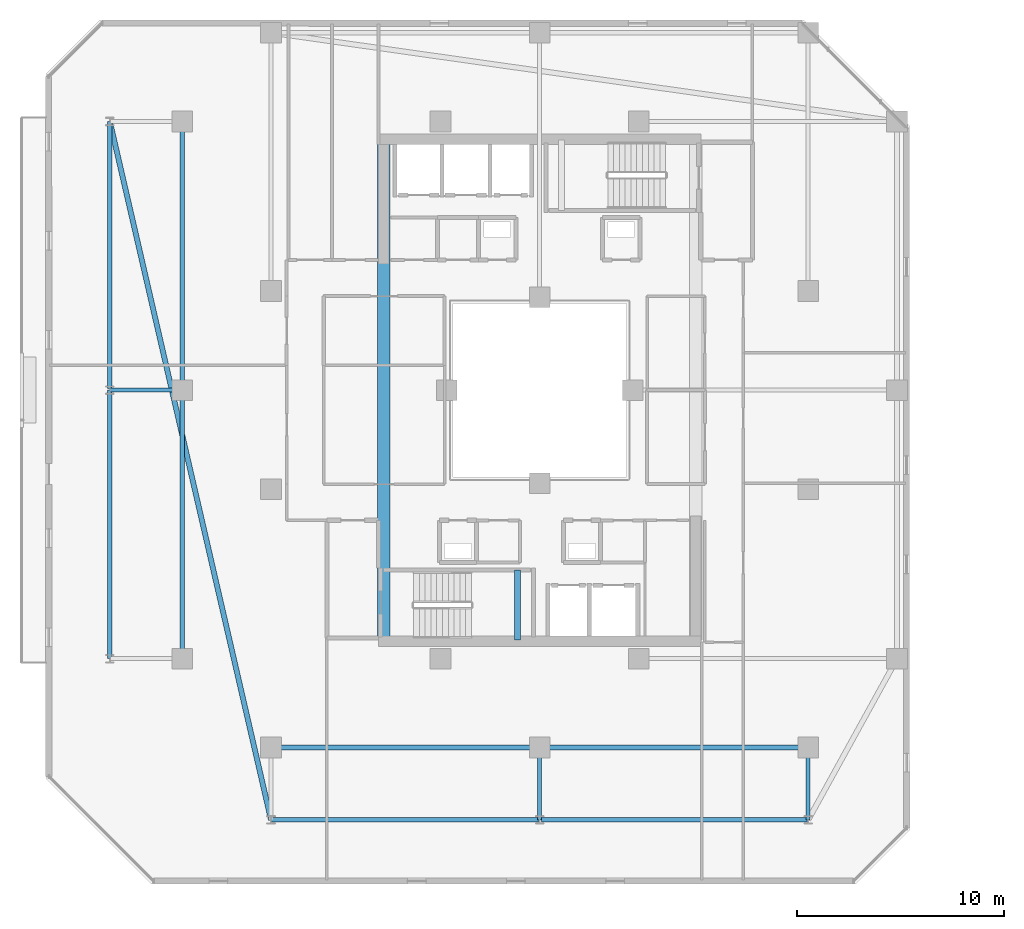
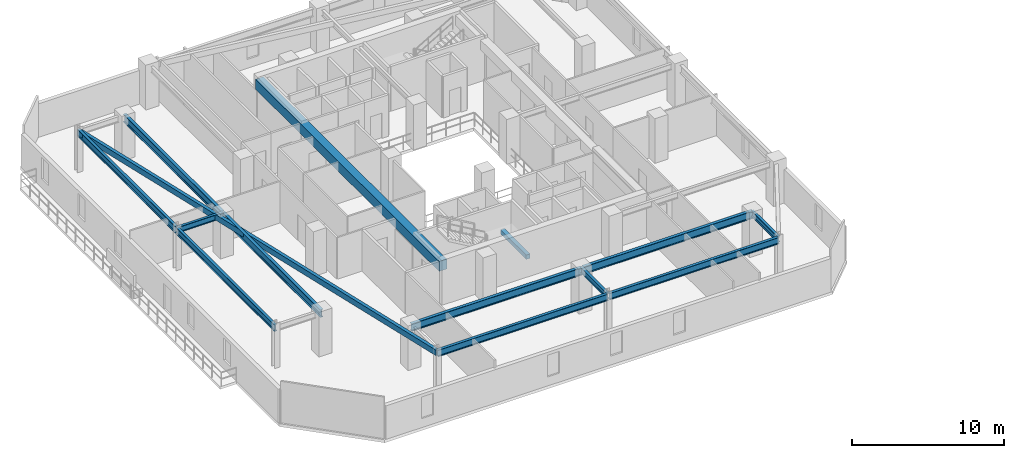
# One storey, part 4 of 32: 14 beams.
"""IFC4 building model written with IfcOpenShell, lengths in metres."""

from ifc_helpers import new_model, si_unit, direction, frame, origin, origin_2d, place, context, subcontext, project, spatial, rectangle, hollow_rectangle, i_section, extrude, material, material_profile, profile_set, type_object, element, save


model = new_model("IFC4")

# Units and contexts
model_context = context("Model", 3, precision=1e-05, world=origin(), true_north=direction((0.0, 1.0)))
body_context = subcontext(model_context, "Body", "Model", "MODEL_VIEW")
ifc_project = project(units=[si_unit("LENGTHUNIT", "METRE"), si_unit("AREAUNIT", "SQUARE_METRE"), si_unit("VOLUMEUNIT", "CUBIC_METRE"), si_unit("PLANEANGLEUNIT", "RADIAN"), si_unit("MASSUNIT", "GRAM", prefix="KILO")], contexts=[model_context])

# Site, building, storey
site_placement = place(None, origin())
site = spatial("IfcSite", under=ifc_project, at=site_placement, CompositionType="ELEMENT")
building_placement = place(site_placement, origin())
building = spatial("IfcBuilding", under=site, at=building_placement, Name="Thornwick Lancets Civic Towers", CompositionType="ELEMENT")
storey_placement = place(building_placement, frame((0.0, 0.0, 243.89990234375)))
storey = spatial("IfcBuildingStorey", under=building, at=storey_placement, Name="L65", CompositionType="ELEMENT", Elevation=243.89990234375)

# Beams
ifc_material_1 = material(Name="Concrete C60/75", Category="concrete")
ifc_material_profile_1 = material_profile(ifc_material_1, rectangle(XDim=0.60009765625, YDim=0.800048828125, at=origin_2d()), Name="RC 600x800")
ifc_profile_set_1 = profile_set([ifc_material_profile_1], Name="Concrete C60/75")
beam_type_1 = type_object("IfcBeamType", Name="BM_COUP_RC800", PredefinedType="BEAM", material=ifc_profile_set_1)
beam_1_placement = place(storey_placement, frame((17.949951171875, 14.89990234375, 2.960205078125), z_axis=(0.0, 1.0, 0.0), x_axis=(-1.0, 0.0, 0.0)))
element("IfcBeam", 1, at=beam_1_placement, inside=storey, type_object=beam_type_1, Name="CB-L65-A2", PredefinedType="BEAM", context=body_context, shape_type="SweptSolid", body=[
    extrude(rectangle(XDim=0.60009765625, YDim=0.800048828125, at=origin_2d()), origin(), (0.0, 0.0, 1.0), 24.2001953125),
])
ifc_material_2 = material(Name="Steel S355JR", Category="steel")
ifc_material_profile_2 = material_profile(ifc_material_2, i_section(OverallWidth=0.210693359375, OverallDepth=0.53955078125, WebThickness=0.01171875, FlangeThickness=0.018798828125, FilletRadius=0.0126953125, at=origin_2d()), Name="UKB 533x210x109")
ifc_profile_set_2 = profile_set([ifc_material_profile_2], Name="Steel S355JR")
beam_type_2 = type_object("IfcBeamType", Name="BM_EDGE_533_109", PredefinedType="SPANDREL", material=ifc_profile_set_2)
beam_2_placement = place(storey_placement, frame((12.5, 6.199951171875, 3.09033203125), z_axis=(1.0, 0.0, 0.0), x_axis=(0.0, 1.0, 0.0)))
element("IfcBeam", 2, at=beam_2_placement, inside=storey, type_object=beam_type_2, Name="BM-EDGE-L65-A-S0-1", PredefinedType="SPANDREL", context=body_context, shape_type="SweptSolid", body=[
    extrude(i_section(OverallWidth=0.210693359375, OverallDepth=0.53955078125, WebThickness=0.01171875, FlangeThickness=0.018798828125, FilletRadius=0.0126953125, at=origin_2d()), origin(), (0.0, 0.0, 1.0), 13.0),
])
beam_3_placement = place(storey_placement, frame((25.580078125, 6.199951171875, 3.09033203125), z_axis=(1.0, 0.0, 0.0), x_axis=(0.0, 1.0, 0.0)))
element("IfcBeam", 3, at=beam_3_placement, inside=storey, type_object=beam_type_2, Name="BM-EDGE-L65-A-S0-2", PredefinedType="SPANDREL", context=body_context, shape_type="SweptSolid", body=[
    extrude(i_section(OverallWidth=0.210693359375, OverallDepth=0.53955078125, WebThickness=0.01171875, FlangeThickness=0.018798828125, FilletRadius=0.0126953125, at=origin_2d()), origin(), (0.0, 0.0, 1.0), 12.919921875),
])
beam_4_placement = place(storey_placement, frame((4.699951171875, 14.0, 3.09033203125), z_axis=(0.0, 1.0, 0.0), x_axis=(-1.0, 0.0, 0.0)))
element("IfcBeam", 4, at=beam_4_placement, inside=storey, type_object=beam_type_2, Name="BM-EDGE-L65-A-S3-1", PredefinedType="SPANDREL", context=body_context, shape_type="SweptSolid", body=[
    extrude(i_section(OverallWidth=0.210693359375, OverallDepth=0.53955078125, WebThickness=0.01171875, FlangeThickness=0.018798828125, FilletRadius=0.0126953125, at=origin_2d()), origin(), (0.0, 0.0, 1.0), 13.0),
])
beam_5_placement = place(storey_placement, frame((4.699951171875, 27.080078125, 3.09033203125), z_axis=(0.0, 1.0, 0.0), x_axis=(-1.0, 0.0, 0.0)))
element("IfcBeam", 5, at=beam_5_placement, inside=storey, type_object=beam_type_2, Name="BM-EDGE-L65-A-S3-2", PredefinedType="SPANDREL", context=body_context, shape_type="SweptSolid", body=[
    extrude(i_section(OverallWidth=0.210693359375, OverallDepth=0.53955078125, WebThickness=0.01171875, FlangeThickness=0.018798828125, FilletRadius=0.0126953125, at=origin_2d()), origin(), (0.0, 0.0, 1.0), 12.919921875),
])
ifc_material_profile_3 = material_profile(ifc_material_2, i_section(OverallWidth=0.230224609375, OverallDepth=0.6171875, WebThickness=0.01318359375, FlangeThickness=0.022216796875, FilletRadius=0.0126953125, at=origin_2d()), Name="UKB 610x229x140")
ifc_profile_set_3 = profile_set([ifc_material_profile_3], Name="Steel S355JR")
beam_type_3 = type_object("IfcBeamType", Name="BM_GIRD_610_140", PredefinedType="BEAM", material=ifc_profile_set_3)
beam_6_placement = place(storey_placement, frame((12.5, 9.699951171875, 3.051513671875), z_axis=(1.0, 0.0, 0.0), x_axis=(0.0, 1.0, 0.0)))
element("IfcBeam", 6, at=beam_6_placement, inside=storey, type_object=beam_type_3, Name="BM-SPINE-L65-A-0-1", PredefinedType="BEAM", context=body_context, shape_type="SweptSolid", body=[
    extrude(i_section(OverallWidth=0.230224609375, OverallDepth=0.6171875, WebThickness=0.01318359375, FlangeThickness=0.022216796875, FilletRadius=0.0126953125, at=origin_2d()), origin(), (0.0, 0.0, 1.0), 13.0),
])
beam_7_placement = place(storey_placement, frame((25.580078125, 9.699951171875, 3.051513671875), z_axis=(1.0, 0.0, 0.0), x_axis=(0.0, 1.0, 0.0)))
element("IfcBeam", 7, at=beam_7_placement, inside=storey, type_object=beam_type_3, Name="BM-SPINE-L65-A-1-2", PredefinedType="BEAM", context=body_context, shape_type="SweptSolid", body=[
    extrude(i_section(OverallWidth=0.230224609375, OverallDepth=0.6171875, WebThickness=0.01318359375, FlangeThickness=0.022216796875, FilletRadius=0.0126953125, at=origin_2d()), origin(), (0.0, 0.0, 1.0), 12.919921875),
])
beam_8_placement = place(storey_placement, frame((8.199951171875, 14.0, 3.051513671875), z_axis=(0.0, 1.0, 0.0), x_axis=(-1.0, 0.0, 0.0)))
element("IfcBeam", 8, at=beam_8_placement, inside=storey, type_object=beam_type_3, Name="BM-SPINE-L65-A-9-10", PredefinedType="BEAM", context=body_context, shape_type="SweptSolid", body=[
    extrude(i_section(OverallWidth=0.230224609375, OverallDepth=0.6171875, WebThickness=0.01318359375, FlangeThickness=0.022216796875, FilletRadius=0.0126953125, at=origin_2d()), origin(), (0.0, 0.0, 1.0), 13.0),
])
beam_9_placement = place(storey_placement, frame((8.199951171875, 27.080078125, 3.051513671875), z_axis=(0.0, 1.0, 0.0), x_axis=(-1.0, 0.0, 0.0)))
element("IfcBeam", 9, at=beam_9_placement, inside=storey, type_object=beam_type_3, Name="BM-SPINE-L65-A-10-11", PredefinedType="BEAM", context=body_context, shape_type="SweptSolid", body=[
    extrude(i_section(OverallWidth=0.230224609375, OverallDepth=0.6171875, WebThickness=0.01318359375, FlangeThickness=0.022216796875, FilletRadius=0.0126953125, at=origin_2d()), origin(), (0.0, 0.0, 1.0), 12.919921875),
])
ifc_material_profile_4 = material_profile(ifc_material_2, i_section(OverallWidth=0.19287109375, OverallDepth=0.46728515625, WebThickness=0.011474609375, FlangeThickness=0.01953125, FilletRadius=0.01025390625, at=origin_2d()), Name="UKB 457x191x98")
ifc_profile_set_4 = profile_set([ifc_material_profile_4], Name="Steel S355JR")
beam_type_4 = type_object("IfcBeamType", Name="BM_JOIST_457_98", PredefinedType="JOIST", material=ifc_profile_set_4)
for number, where, z_axis, x_axis, name in (
    (10, (25.5, 9.699951171875, 3.12646484375), (0.0, -1.0, 0.0), (1.0, 0.0, 0.0), "BM-RAD-L65-A02"),
    (11, (38.5, 9.699951171875, 3.12646484375), (0.0, -1.0, 0.0), (1.0, 0.0, 0.0), "BM-RAD-L65-A03"),
    (12, (8.199951171875, 27.0, 3.12646484375), (-1.0, 0.0, 0.0), (0.0, -1.0, 0.0), "BM-RAD-L65-A11"),
):
    element("IfcBeam", number, at=place(storey_placement, frame(where, z_axis=z_axis, x_axis=x_axis)), inside=storey, type_object=beam_type_4, Name=name, PredefinedType="JOIST", context=body_context, shape_type="SweptSolid", body=[
        extrude(i_section(OverallWidth=0.19287109375, OverallDepth=0.46728515625, WebThickness=0.011474609375, FlangeThickness=0.01953125, FilletRadius=0.01025390625, at=origin_2d()), origin(), (0.0, 0.0, 1.0), 3.5),
    ])
ifc_material_profile_5 = material_profile(ifc_material_2, hollow_rectangle(XDim=0.25, YDim=0.449951171875, WallThickness=0.01611328125, at=origin_2d()), Name="RHS 450x250x16")
ifc_profile_set_5 = profile_set([ifc_material_profile_5], Name="Steel S355JR")
beam_type_5 = type_object("IfcBeamType", Name="BM_RING_RHS450", PredefinedType="BEAM", material=ifc_profile_set_5)
beam_10_placement = place(storey_placement, frame((4.699951171875, 40.0, 3.135009765625), z_axis=(0.224860534737, -0.974390958454, 0.0), x_axis=(0.974390958454, 0.224860534737, 0.0)))
element("IfcBeam", 13, at=beam_10_placement, inside=storey, type_object=beam_type_5, Name="BM-CHAMF-L65-A-C3", PredefinedType="BEAM", context=body_context, shape_type="SweptSolid", body=[
    extrude(hollow_rectangle(XDim=0.25, YDim=0.449951171875, WallThickness=0.01611328125, at=origin_2d()), origin(), (0.0, 0.0, 1.0), 34.6884765625),
])
ifc_material_3 = material(Name="Concrete C40/50", Category="concrete")
ifc_material_profile_6 = material_profile(ifc_material_3, rectangle(XDim=0.300048828125, YDim=0.35009765625, at=origin_2d()), Name="RC 300x350")
ifc_profile_set_6 = profile_set([ifc_material_profile_6], Name="Concrete C40/50")
beam_type_6 = type_object("IfcBeamType", Name="BM_STAIR_LDG", PredefinedType="BEAM", material=ifc_profile_set_6)
beam_11_placement = place(storey_placement, frame((24.43505859375, 14.89990234375, 1.378173828125), z_axis=(0.0, 1.0, 0.0), x_axis=(-1.0, 0.0, 0.0)))
element("IfcBeam", 14, at=beam_11_placement, inside=storey, type_object=beam_type_6, Name="L65 ST-A1 Landing Support Beam 1", PredefinedType="BEAM", context=body_context, shape_type="SweptSolid", body=[
    extrude(rectangle(XDim=0.300048828125, YDim=0.35009765625, at=origin_2d()), origin(), (0.0, 0.0, 1.0), 3.400146484375),
])

save(model, "model.ifc")
